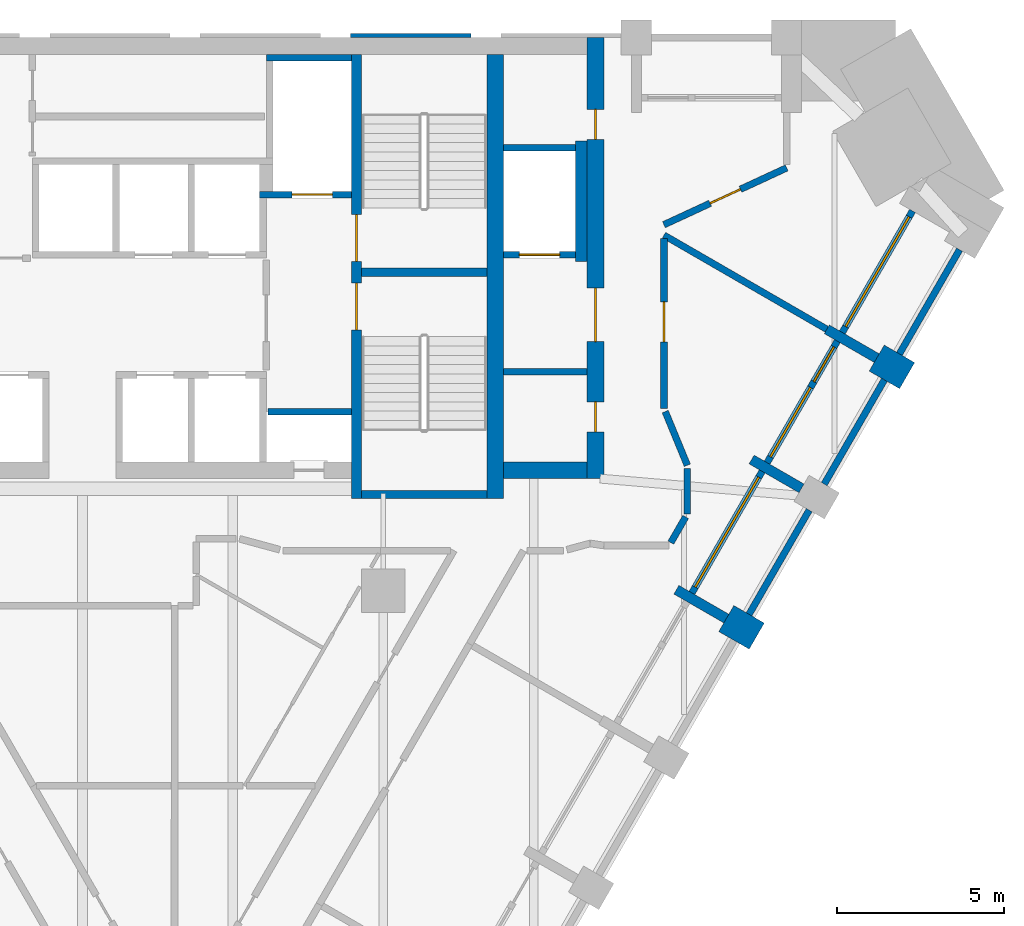
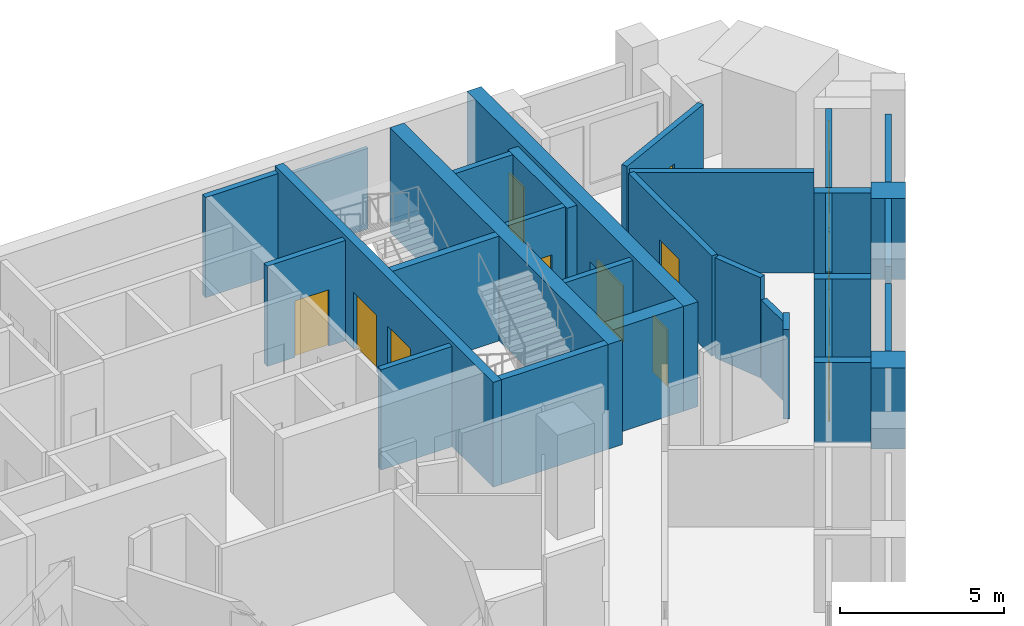
# One storey, part 7 of 9: 31 walls, 10 doors, 3 windows, 13 openings.
"""IFC4 building model written with IfcOpenShell, lengths in metres."""

from ifc_helpers import new_model, si_unit, direction, frame, frame_2d, origin, place, context, subcontext, project, spatial, polyline, rectangle, outline, extrude, material, layer, layer_set, type_object, element, fill, save


model = new_model("IFC4")

# Units and contexts
model_context = context("Model", 3, precision=1e-05, world=origin(), true_north=direction((0.0, 1.0)))
body_context = subcontext(model_context, "Body", "Model", "MODEL_VIEW")
ifc_project = project(units=[si_unit("LENGTHUNIT", "METRE"), si_unit("AREAUNIT", "SQUARE_METRE"), si_unit("VOLUMEUNIT", "CUBIC_METRE"), si_unit("PLANEANGLEUNIT", "RADIAN"), si_unit("MASSUNIT", "GRAM", prefix="KILO")], contexts=[model_context])

# Site, building, storey
site_placement = place(None, origin())
site = spatial("IfcSite", under=ifc_project, at=site_placement, CompositionType="ELEMENT")
building_placement = place(site_placement, origin())
building = spatial("IfcBuilding", under=site, at=building_placement, Name="Calabash Gate Tower", CompositionType="ELEMENT")
storey_placement = place(building_placement, frame((0.0, 0.0, 179.699951171875)))
storey = spatial("IfcBuildingStorey", under=building, at=storey_placement, Name="L42", CompositionType="ELEMENT", Elevation=179.699951171875)

# Walls
ifc_material_1 = material(Name="Terracotta brick masonry, exposed face", Category="masonry")
ifc_layer_1 = layer(ifc_material_1, 1.050048828125)
ifc_layer_set_1 = layer_set([ifc_layer_1], Name="Brick end wall 1050")
wall_type_1 = type_object("IfcWallType", Name="Brick end wall 1050", PredefinedType="SOLIDWALL", material=ifc_layer_set_1)
for number, where, z_axis, x_axis, name in (
    (1, (19.26708984375, 1.665771484375, 0.0), (0.0, 0.0, 1.0), (0.866030680601, -0.499990860175, 0.0), "Brick pier S12 SE4.5"),
    (2, (24.67626953125, 8.93505859375, 0.0), (0.0, 0.0, 1.0), (-0.866030680601, 0.499990860175, 0.0), "Brick pier S12 SE4.7"),
):
    element("IfcWall", number, at=place(storey_placement, frame(where, z_axis=z_axis, x_axis=x_axis)), inside=storey, type_object=wall_type_1, Name=name, PredefinedType="SOLIDWALL", context=body_context, shape_type="SweptSolid", body=[
        extrude(rectangle(XDim=1.0498046875, YDim=0.89990234375, at=frame_2d((0.52490234375, 0.0))), origin(), (0.0, 0.0, 1.0), 3.0),
    ])
ifc_material_2 = material(Name="Terracotta brick masonry, exposed face", Category="masonry")
ifc_layer_2 = layer(ifc_material_2, 0.300048828125)
ifc_layer_set_2 = layer_set([ifc_layer_2], Name="Brick loggia cheek wall 300")
wall_type_2 = type_object("IfcWallType", Name="Brick loggia cheek wall 300", PredefinedType="SOLIDWALL", material=ifc_layer_set_2)
wall_1_placement = place(storey_placement, frame((19.26708984375, 1.665771484375, 0.0), z_axis=(0.0, 0.0, 1.0), x_axis=(-0.866013532718, 0.500020560727, 0.0)))
element("IfcWall", 3, at=wall_1_placement, inside=storey, type_object=wall_type_2, Name="Loggia cheek S12 SE4.5", PredefinedType="SOLIDWALL", context=body_context, shape_type="SweptSolid", body=[
    extrude(rectangle(XDim=1.72509765625, YDim=0.300048828125, at=frame_2d((0.862548828125, 0.0))), origin(), (0.0, 0.0, 1.0), 3.0),
])
wall_2_placement = place(storey_placement, frame((21.51708984375, 5.56298828125, 0.0), z_axis=(0.0, 0.0, 1.0), x_axis=(-0.866013532718, 0.500020560727, 0.0)))
element("IfcWall", 4, at=wall_2_placement, inside=storey, type_object=wall_type_2, Name="Loggia cheek S12 SE4.6", PredefinedType="SOLIDWALL", context=body_context, shape_type="SweptSolid", body=[
    extrude(rectangle(XDim=1.72509765625, YDim=0.300048828125, at=frame_2d((0.862548828125, 0.0))), origin(), (0.0, 0.0, 1.0), 2.9501953125),
])
wall_3_placement = place(storey_placement, frame((23.76708984375, 9.4599609375, 0.0), z_axis=(0.0, 0.0, 1.0), x_axis=(-0.866013532718, 0.500020560727, 0.0)))
element("IfcWall", 5, at=wall_3_placement, inside=storey, type_object=wall_type_2, Name="Loggia cheek S12 SE4.7", PredefinedType="SOLIDWALL", context=body_context, shape_type="SweptSolid", body=[
    extrude(rectangle(XDim=1.72509765625, YDim=0.300048828125, at=frame_2d((0.862548828125, 0.0))), origin(), (0.0, 0.0, 1.0), 3.0),
])
ifc_material_3 = material(Name="Gypsum board on steel studs, mineral wool", Category="steel")
ifc_layer_3 = layer(ifc_material_3, 0.199951171875)
ifc_layer_set_3 = layer_set([ifc_layer_3], Name="Core partition 200 gypsum board")
wall_type_3 = type_object("IfcWallType", Name="Core partition 200 gypsum board", PredefinedType="PARTITIONING", material=ifc_layer_set_3)
wall_4_placement = place(storey_placement, frame((12.60009765625, 9.052490234375, 0.0), z_axis=(0.0, 0.0, 1.0), x_axis=(1.0, 0.0, 0.0)))
element("IfcWall", 6, at=wall_4_placement, inside=storey, type_object=wall_type_3, Name="Core partition", PredefinedType="PARTITIONING", context=body_context, shape_type="SweptSolid", body=[
    extrude(rectangle(XDim=2.5, YDim=0.199951171875, at=frame_2d((1.25, 0.0))), origin(), (0.0, 0.0, 1.0), 3.72998046875),
])
ifc_material_4 = material(Name="Concrete C70/85", Category="concrete")
ifc_layer_4 = layer(ifc_material_4, 0.25)
ifc_layer_set_4 = layer_set([ifc_layer_4], Name="Core wall 250 Concrete C70/85")
wall_type_4 = type_object("IfcWallType", Name="Core wall 250 Concrete C70/85", PredefinedType="SHEAR", material=ifc_layer_set_4)
for number, where, z_axis, x_axis, name in (
    (7, (8.35009765625, 12.027587890625, 0.0), (0.0, 0.0, 1.0), (1.0, 0.0, 0.0), "Core wall Z3-MIDE L42"),
    (8, (8.35009765625, 5.377685546875, 0.0), (0.0, 0.0, 1.0), (1.0, 0.0, 0.0), "Core wall Z3-SSE L42"),
):
    element("IfcWall", number, at=place(storey_placement, frame(where, z_axis=z_axis, x_axis=x_axis)), inside=storey, type_object=wall_type_4, Name=name, PredefinedType="SHEAR", context=body_context, shape_type="SweptSolid", body=[
        extrude(rectangle(XDim=3.75, YDim=0.25, at=frame_2d((1.875, 0.0))), origin(), (0.0, 0.0, 1.0), 3.900146484375),
    ])

# Wall, openings, doors
ifc_material_5 = material(Name="Concrete C70/85", Category="concrete")
ifc_layer_5 = layer(ifc_material_5, 0.300048828125)
ifc_layer_set_5 = layer_set([ifc_layer_5], Name="Core wall 300 Concrete C70/85")
wall_type_5 = type_object("IfcWallType", Name="Core wall 300 Concrete C70/85", PredefinedType="SHEAR", material=ifc_layer_set_5)
wall_5_placement = place(storey_placement, frame((8.199951171875, 5.252685546875, 0.0), z_axis=(0.0, 0.0, 1.0), x_axis=(0.0, 1.0, 0.0)))
wall_5 = element("IfcWall", 9, at=wall_5_placement, inside=storey, type_object=wall_type_5, Name="Core wall Z3-PARTE L42", PredefinedType="SHEAR", context=body_context, shape_type="SweptSolid", body=[
    extrude(rectangle(XDim=13.2998046875, YDim=0.300048828125, at=frame_2d((6.64990234375, 0.0))), origin(), (0.0, 0.0, 1.0), 3.900146484375),
])
opening_1_placement = place(wall_5_placement, frame((7.10009765625, 0.0, 0.0)))
opening_1 = element("IfcOpeningElement", 10, at=opening_1_placement, cuts=wall_5, Name="Opening O4-017", PredefinedType="OPENING", context=body_context, shape_type="SweptSolid", body=[
    extrude(rectangle(XDim=1.39990234375, YDim=2.10009765625, at=frame_2d((0.699951171875, 1.050048828125))), frame((0.0, 0.159912109375, 0.0), z_axis=(0.0, -1.0, 0.0), x_axis=(1.0, 0.0, 0.0)), (0.0, 0.0, 1.0), 0.320068359375),
])
opening_2_placement = place(wall_5_placement, frame((5.050048828125, 0.0, 0.0)))
opening_2 = element("IfcOpeningElement", 11, at=opening_2_placement, cuts=wall_5, Name="Opening O4-018", PredefinedType="OPENING", context=body_context, shape_type="SweptSolid", body=[
    extrude(rectangle(XDim=1.39990234375, YDim=2.10009765625, at=frame_2d((0.699951171875, 1.050048828125))), frame((0.0, 0.159912109375, 0.0), z_axis=(0.0, -1.0, 0.0), x_axis=(1.0, 0.0, 0.0)), (0.0, 0.0, 1.0), 0.320068359375),
])
ifc_material_6 = material(Name="Steel fire door set with fire-resisting glazing", Category="steel")
door_type_1 = type_object("IfcDoorType", Name="Fire door D05 1400x2100 FD90", OperationType="NOTDEFINED", PredefinedType="DOOR", material=ifc_material_6)
door_1_placement = place(opening_1_placement, origin())
door_1 = element("IfcDoor", 12, at=door_1_placement, inside=storey, type_object=door_type_1, Name="Exit stair door ST3", OperationType="SINGLE_SWING_RIGHT", OverallHeight=2.10009765625, OverallWidth=1.39990234375, PredefinedType="DOOR", context=body_context, shape_type="SweptSolid", body=[
    extrude(rectangle(XDim=1.39990234375, YDim=2.10009765625, at=frame_2d((0.699951171875, 1.050048828125))), frame((0.0, 0.02490234375, 0.0), z_axis=(0.0, -1.0, 0.0), x_axis=(1.0, 0.0, 0.0)), (0.0, 0.0, 1.0), 0.050048828125),
])
fill(opening_1, door_1)
door_2_placement = place(opening_2_placement, origin())
door_2 = element("IfcDoor", 13, at=door_2_placement, inside=storey, type_object=door_type_1, Name="Exit stair door ST4", OperationType="SINGLE_SWING_LEFT", OverallHeight=2.10009765625, OverallWidth=1.39990234375, PredefinedType="DOOR", context=body_context, shape_type="SweptSolid", body=[
    extrude(rectangle(XDim=1.39990234375, YDim=2.10009765625, at=frame_2d((0.699951171875, 1.050048828125))), frame((0.0, 0.02490234375, 0.0), z_axis=(0.0, -1.0, 0.0), x_axis=(1.0, 0.0, 0.0)), (0.0, 0.0, 1.0), 0.050048828125),
])
fill(opening_2, door_2)

# Walls
ifc_material_7 = material(Name="Concrete C70/85", Category="concrete")
ifc_layer_6 = layer(ifc_material_7, 0.5)
ifc_layer_set_6 = layer_set([ifc_layer_6], Name="Core wall 500 Concrete C70/85")
wall_type_6 = type_object("IfcWallType", Name="Core wall 500 Concrete C70/85", PredefinedType="SHEAR", material=ifc_layer_set_6)
wall_6_placement = place(storey_placement, frame((12.35009765625, 5.252685546875, 0.0), z_axis=(0.0, 0.0, 1.0), x_axis=(0.0, 1.0, 0.0)))
element("IfcWall", 14, at=wall_6_placement, inside=storey, type_object=wall_type_6, Name="Core wall Z3-COLE L42", PredefinedType="SHEAR", context=body_context, shape_type="SweptSolid", body=[
    extrude(rectangle(XDim=13.2998046875, YDim=0.5, at=frame_2d((6.64990234375, 0.0))), origin(), (0.0, 0.0, 1.0), 3.900146484375),
])
wall_7_placement = place(storey_placement, frame((12.60009765625, 6.1025390625, 0.0), z_axis=(0.0, 0.0, 1.0), x_axis=(1.0, 0.0, 0.0)))
element("IfcWall", 15, at=wall_7_placement, inside=storey, type_object=wall_type_6, Name="Core wall Z3-SE L42", PredefinedType="SHEAR", context=body_context, shape_type="SweptSolid", body=[
    extrude(rectangle(XDim=2.5, YDim=0.5, at=frame_2d((1.25, 0.0))), origin(), (0.0, 0.0, 1.0), 3.900146484375),
])

# Wall, openings, doors
wall_8_placement = place(storey_placement, frame((15.35009765625, 5.8525390625, 0.0), z_axis=(0.0, 0.0, 1.0), x_axis=(0.0, 1.0, 0.0)))
wall_8 = element("IfcWall", 16, at=wall_8_placement, inside=storey, type_object=wall_type_6, Name="Core wall Z3-ENDE L42", PredefinedType="SHEAR", context=body_context, shape_type="SweptSolid", body=[
    extrude(rectangle(XDim=13.199951171875, YDim=0.5, at=frame_2d((6.60009765625, 0.0))), origin(), (0.0, 0.0, 1.0), 3.900146484375),
])
opening_3_placement = place(wall_8_placement, frame((4.10009765625, 0.0, 0.0)))
opening_3 = element("IfcOpeningElement", 17, at=opening_3_placement, cuts=wall_8, Name="Opening O4-003", PredefinedType="OPENING", context=body_context, shape_type="SweptSolid", body=[
    extrude(rectangle(XDim=1.60009765625, YDim=2.10009765625, at=frame_2d((0.800048828125, 1.050048828125))), frame((0.0, 0.260009765625, 0.0), z_axis=(0.0, -1.0, 0.0), x_axis=(1.0, 0.0, 0.0)), (0.0, 0.0, 1.0), 0.52001953125),
])
opening_4_placement = place(wall_8_placement, frame((1.39990234375, 0.0, 0.0)))
opening_4 = element("IfcOpeningElement", 18, at=opening_4_placement, cuts=wall_8, Name="Opening O4-001", PredefinedType="OPENING", context=body_context, shape_type="SweptSolid", body=[
    extrude(rectangle(XDim=0.89990234375, YDim=2.10009765625, at=frame_2d((0.449951171875, 1.050048828125))), frame((0.0, 0.260009765625, 0.0), z_axis=(0.0, -1.0, 0.0), x_axis=(1.0, 0.0, 0.0)), (0.0, 0.0, 1.0), 0.52001953125),
])
opening_5_placement = place(wall_8_placement, frame((10.14990234375, 0.0, 0.0)))
opening_5 = element("IfcOpeningElement", 19, at=opening_5_placement, cuts=wall_8, Name="Opening O4-002", PredefinedType="OPENING", context=body_context, shape_type="SweptSolid", body=[
    extrude(rectangle(XDim=0.89990234375, YDim=2.10009765625, at=frame_2d((0.449951171875, 1.050048828125))), frame((0.0, 0.260009765625, 0.0), z_axis=(0.0, -1.0, 0.0), x_axis=(1.0, 0.0, 0.0)), (0.0, 0.0, 1.0), 0.52001953125),
])
ifc_material_8 = material(Name="Steel fire door set with fire-resisting glazing", Category="steel")
door_type_2 = type_object("IfcDoorType", Name="Double fire door D08 1600x2100 FD60", OperationType="DOUBLE_DOOR_SINGLE_SWING", PredefinedType="DOOR", material=ifc_material_8)
door_3_placement = place(opening_3_placement, origin())
door_3 = element("IfcDoor", 20, at=door_3_placement, inside=storey, type_object=door_type_2, Name="Service Lift Lobby E door", OperationType="DOUBLE_DOOR_SINGLE_SWING", OverallHeight=2.10009765625, OverallWidth=1.60009765625, PredefinedType="DOOR", context=body_context, shape_type="SweptSolid", body=[
    extrude(rectangle(XDim=1.60009765625, YDim=2.10009765625, at=frame_2d((0.800048828125, 1.050048828125))), frame((0.0, 0.02490234375, 0.0), z_axis=(0.0, -1.0, 0.0), x_axis=(1.0, 0.0, 0.0)), (0.0, 0.0, 1.0), 0.050048828125),
])
fill(opening_3, door_3)
ifc_material_9 = material(Name="Steel fire door set with fire-resisting glazing", Category="steel")
door_type_3 = type_object("IfcDoorType", Name="Fire door D06 900x2100 FD60", OperationType="NOTDEFINED", PredefinedType="DOOR", material=ifc_material_9)
door_4_placement = place(opening_4_placement, origin())
door_4 = element("IfcDoor", 21, at=door_4_placement, inside=storey, type_object=door_type_3, Name="Tenant Pantry door", OperationType="SINGLE_SWING_RIGHT", OverallHeight=2.10009765625, OverallWidth=0.89990234375, PredefinedType="DOOR", context=body_context, shape_type="SweptSolid", body=[
    extrude(rectangle(XDim=0.89990234375, YDim=2.10009765625, at=frame_2d((0.449951171875, 1.050048828125))), frame((0.0, 0.02490234375, 0.0), z_axis=(0.0, -1.0, 0.0), x_axis=(1.0, 0.0, 0.0)), (0.0, 0.0, 1.0), 0.050048828125),
])
fill(opening_4, door_4)
door_5_placement = place(opening_5_placement, origin())
door_5 = element("IfcDoor", 22, at=door_5_placement, inside=storey, type_object=door_type_3, Name="Cleaner's Store door", OperationType="SINGLE_SWING_LEFT", OverallHeight=2.10009765625, OverallWidth=0.89990234375, PredefinedType="DOOR", context=body_context, shape_type="SweptSolid", body=[
    extrude(rectangle(XDim=0.89990234375, YDim=2.10009765625, at=frame_2d((0.449951171875, 1.050048828125))), frame((0.0, 0.02490234375, 0.0), z_axis=(0.0, -1.0, 0.0), x_axis=(1.0, 0.0, 0.0)), (0.0, 0.0, 1.0), 0.050048828125),
])
fill(opening_5, door_5)

# Walls
ifc_material_10 = material(Name="Gypsum board on steel studs, mineral wool", Category="steel")
ifc_layer_7 = layer(ifc_material_10, 0.199951171875)
ifc_layer_set_7 = layer_set([ifc_layer_7], Name="Partition 200 gypsum board EI 60")
wall_type_7 = type_object("IfcWallType", Name="Partition 200 gypsum board EI 60", PredefinedType="PARTITIONING", material=ifc_layer_set_7)
wall_9_placement = place(storey_placement, frame((17.606201171875, 3.938720703125, 0.0), z_axis=(0.0, 0.0, 1.0), x_axis=(0.500071473339, 0.8659841347, 0.0)))
element("IfcWall", 23, at=wall_9_placement, inside=storey, type_object=wall_type_7, Name="Partition", PredefinedType="PARTITIONING", context=body_context, shape_type="SweptSolid", body=[
    extrude(rectangle(XDim=0.887939453125, YDim=0.199951171875, at=frame_2d((0.44384765625, 0.0))), origin(), (0.0, 0.0, 1.0), 3.33154296875),
])
wall_10_placement = place(storey_placement, frame((18.1005859375, 4.794189453125, 0.0), z_axis=(0.0, 0.0, 1.0), x_axis=(0.0, 1.0, 0.0)))
element("IfcWall", 24, at=wall_10_placement, inside=storey, type_object=wall_type_7, Name="Partition", PredefinedType="PARTITIONING", context=body_context, shape_type="SweptSolid", body=[
    extrude(rectangle(XDim=1.3583984375, YDim=0.199951171875, at=frame_2d((0.67919921875, 0.0))), origin(), (0.0, 0.0, 1.0), 2.9501953125),
])
wall_11_placement = place(storey_placement, frame((17.438720703125, 7.860107421875, 0.0), z_axis=(0.0, 0.0, 1.0), x_axis=(0.380742741509, -0.924681007044, 0.0)))
element("IfcWall", 25, at=wall_11_placement, inside=storey, type_object=wall_type_7, Name="Partition", PredefinedType="PARTITIONING", context=body_context, shape_type="SweptSolid", body=[
    extrude(rectangle(XDim=1.73828125, YDim=0.199951171875, at=frame_2d((0.869140625, 0.0))), origin(), (0.0, 0.0, 1.0), 3.72998046875),
])

# Wall, opening, door
wall_12_placement = place(storey_placement, frame((17.400390625, 7.95263671875, 0.0), z_axis=(0.0, 0.0, 1.0), x_axis=(0.000336263612, 0.999999943463, 0.0)))
wall_12 = element("IfcWall", 26, at=wall_12_placement, inside=storey, type_object=wall_type_7, Name="Partition", PredefinedType="PARTITIONING", context=body_context, shape_type="SweptSolid", body=[
    extrude(rectangle(XDim=5.082275390625, YDim=0.199951171875, at=frame_2d((2.541015625, 0.0))), origin(), (0.0, 0.0, 1.0), 3.72998046875),
])
opening_6_placement = place(wall_12_placement, frame((1.992431640625, 0.0, 0.0)))
opening_6 = element("IfcOpeningElement", 27, at=opening_6_placement, cuts=wall_12, Name="Opening 42-44-009", PredefinedType="OPENING", context=body_context, shape_type="SweptSolid", body=[
    extrude(rectangle(XDim=1.199951171875, YDim=2.39990234375, at=frame_2d((0.60009765625, 1.199951171875))), frame((0.0, 0.10986328125, 0.0), z_axis=(0.0, -1.0, 0.0), x_axis=(1.0, 0.0, 0.0)), (0.0, 0.0, 1.0), 0.219970703125),
])
ifc_material_11 = material(Name="Steel fire door set with fire-resisting glazing", Category="steel")
door_type_4 = type_object("IfcDoorType", Name="OD3 Boardroom door 1200x2400", OperationType="NOTDEFINED", PredefinedType="DOOR", material=ifc_material_11)
door_6_placement = place(opening_6_placement, origin())
door_6 = element("IfcDoor", 28, at=door_6_placement, inside=storey, type_object=door_type_4, Name="Boardroom door", OperationType="SINGLE_SWING_RIGHT", OverallHeight=2.39990234375, OverallWidth=1.199951171875, PredefinedType="DOOR", context=body_context, shape_type="SweptSolid", body=[
    extrude(rectangle(XDim=1.199951171875, YDim=2.39990234375, at=frame_2d((0.60009765625, 1.199951171875))), frame((0.0, 0.02490234375, 0.0), z_axis=(0.0, -1.0, 0.0), x_axis=(1.0, 0.0, 0.0)), (0.0, 0.0, 1.0), 0.050048828125),
])
fill(opening_6, door_6)

# Wall
wall_13_placement = place(storey_placement, frame((17.400634765625, 13.1376953125, 0.0), z_axis=(0.0, 0.0, 1.0), x_axis=(0.865889294905, -0.500235673427, 0.0)))
element("IfcWall", 29, at=wall_13_placement, inside=storey, type_object=wall_type_7, Name="Partition", PredefinedType="PARTITIONING", context=body_context, shape_type="SweptSolid", body=[
    extrude(rectangle(XDim=5.627197265625, YDim=0.199951171875, at=frame_2d((2.8134765625, 0.0))), origin(), (0.0, 0.0, 1.0), 3.72998046875),
])

# Wall, opening, door
wall_14_placement = place(storey_placement, frame((17.400390625, 13.4521484375, 0.0), z_axis=(0.0, 0.0, 1.0), x_axis=(0.907455404493, 0.420148412892, 0.0)))
wall_14 = element("IfcWall", 30, at=wall_14_placement, inside=storey, type_object=wall_type_7, Name="Partition", PredefinedType="PARTITIONING", context=body_context, shape_type="SweptSolid", body=[
    extrude(rectangle(XDim=4.046142578125, YDim=0.199951171875, at=frame_2d((2.02294921875, 0.0))), origin(), (0.0, 0.0, 1.0), 3.72998046875),
])
opening_7_placement = place(wall_14_placement, frame((1.52294921875, 0.0, 0.0)))
opening_7 = element("IfcOpeningElement", 31, at=opening_7_placement, cuts=wall_14, Name="Opening 42-44-010", PredefinedType="OPENING", context=body_context, shape_type="SweptSolid", body=[
    extrude(rectangle(XDim=1.0, YDim=2.39990234375, at=frame_2d((0.5, 1.199951171875))), frame((0.0, 0.10986328125, 0.0), z_axis=(0.0, -1.0, 0.0), x_axis=(1.0, 0.0, 0.0)), (0.0, 0.0, 1.0), 0.219970703125),
])
ifc_material_12 = material(Name="Painted timber door", Category="wood")
door_type_5 = type_object("IfcDoorType", Name="OD2 Glazed office door 1000x2400", OperationType="NOTDEFINED", PredefinedType="DOOR", material=ifc_material_12)
door_7_placement = place(opening_7_placement, origin())
door_7 = element("IfcDoor", 32, at=door_7_placement, inside=storey, type_object=door_type_5, Name="Glazed office door", OperationType="SINGLE_SWING_LEFT", OverallHeight=2.39990234375, OverallWidth=1.0, PredefinedType="DOOR", context=body_context, shape_type="SweptSolid", body=[
    extrude(rectangle(XDim=1.0, YDim=2.39990234375, at=frame_2d((0.5, 1.199951171875))), frame((0.0, 0.02490234375, 0.0), z_axis=(0.0, -1.0, 0.0), x_axis=(1.0, 0.0, 0.0)), (0.0, 0.0, 1.0), 0.050048828125),
])
fill(opening_7, door_7)

# Walls
ifc_material_13 = material(Name="Concrete C40/50", Category="concrete")
ifc_layer_8 = layer(ifc_material_13, 0.199951171875)
ifc_layer_set_8 = layer_set([ifc_layer_8], Name="Shaft wall 200 Concrete C40/50")
wall_type_8 = type_object("IfcWallType", Name="Shaft wall 200 Concrete C40/50", PredefinedType="SOLIDWALL", material=ifc_layer_set_8)
wall_15_placement = place(storey_placement, frame((5.550048828125, 7.8525390625, 0.0), z_axis=(0.0, 0.0, 1.0), x_axis=(1.0, 0.0, 0.0)))
element("IfcWall", 33, at=wall_15_placement, inside=storey, type_object=wall_type_8, Name="Shaft wall", PredefinedType="SOLIDWALL", context=body_context, shape_type="SweptSolid", body=[
    extrude(rectangle(XDim=2.5, YDim=0.199951171875, at=frame_2d((1.25, 0.0))), origin(), (0.0, 0.0, 1.0), 3.72998046875),
])
wall_16_placement = place(storey_placement, frame((14.925048828125, 12.3525390625, 0.0), z_axis=(0.0, 0.0, 1.0), x_axis=(0.0, 1.0, 0.0)))
element("IfcWall", 34, at=wall_16_placement, inside=storey, type_object=wall_type_8, Name="Shaft wall", PredefinedType="SOLIDWALL", context=body_context, shape_type="SweptSolid", body=[
    extrude(rectangle(XDim=3.60009765625, YDim=0.35009765625, at=frame_2d((1.800048828125, 0.0))), origin(), (0.0, 0.0, 1.0), 3.72998046875),
])

# Wall, opening, door
wall_17_placement = place(storey_placement, frame((12.60009765625, 12.552490234375, 0.0), z_axis=(0.0, 0.0, 1.0), x_axis=(1.0, 0.0, 0.0)))
wall_17 = element("IfcWall", 35, at=wall_17_placement, inside=storey, type_object=wall_type_8, Name="Shaft wall", PredefinedType="SOLIDWALL", context=body_context, shape_type="SweptSolid", body=[
    extrude(rectangle(XDim=2.14990234375, YDim=0.199951171875, at=frame_2d((1.074951171875, 0.0))), origin(), (0.0, 0.0, 1.0), 3.72998046875),
])
opening_8_placement = place(wall_17_placement, frame((0.47509765625, 0.0, 0.0)))
opening_8 = element("IfcOpeningElement", 36, at=opening_8_placement, cuts=wall_17, Name="Opening LD-SL1", PredefinedType="OPENING", context=body_context, shape_type="SweptSolid", body=[
    extrude(rectangle(XDim=1.199951171875, YDim=2.10009765625, at=frame_2d((0.60009765625, 1.050048828125))), frame((0.0, 0.10986328125, 0.0), z_axis=(0.0, -1.0, 0.0), x_axis=(1.0, 0.0, 0.0)), (0.0, 0.0, 1.0), 0.219970703125),
])
ifc_material_14 = material(Name="Stainless steel sliding door leaves", Category="steel")
door_type_6 = type_object("IfcDoorType", Name="Lift landing door LS3 1200x2100 FD90", OperationType="DOUBLE_DOOR_SLIDING", PredefinedType="DOOR", material=ifc_material_14)
door_8_placement = place(opening_8_placement, origin())
door_8 = element("IfcDoor", 37, at=door_8_placement, inside=storey, type_object=door_type_6, Name="Lift landing door SL1", OperationType="DOUBLE_DOOR_SLIDING", OverallHeight=2.10009765625, OverallWidth=1.199951171875, PredefinedType="DOOR", context=body_context, shape_type="SweptSolid", body=[
    extrude(rectangle(XDim=1.199951171875, YDim=2.10009765625, at=frame_2d((0.60009765625, 1.050048828125))), frame((0.0, 0.02490234375, 0.0), z_axis=(0.0, -1.0, 0.0), x_axis=(1.0, 0.0, 0.0)), (0.0, 0.0, 1.0), 0.050048828125),
])
fill(opening_8, door_8)

wall_18_placement = place(storey_placement, frame((5.300048828125, 14.3525390625, 0.0), z_axis=(0.0, 0.0, 1.0), x_axis=(1.0, 0.0, 0.0)))
wall_18 = element("IfcWall", 38, at=wall_18_placement, inside=storey, type_object=wall_type_8, Name="Shaft wall", PredefinedType="SOLIDWALL", context=body_context, shape_type="SweptSolid", body=[
    extrude(rectangle(XDim=2.75, YDim=0.199951171875, at=frame_2d((1.375, 0.0))), origin(), (0.0, 0.0, 1.0), 3.72998046875),
])
opening_9_placement = place(wall_18_placement, frame((0.97509765625, 0.0, 0.0)))
opening_9 = element("IfcOpeningElement", 39, at=opening_9_placement, cuts=wall_18, Name="Opening LD-FF2", PredefinedType="OPENING", context=body_context, shape_type="SweptSolid", body=[
    extrude(rectangle(XDim=1.199951171875, YDim=2.10009765625, at=frame_2d((0.60009765625, 1.050048828125))), frame((0.0, 0.10986328125, 0.0), z_axis=(0.0, -1.0, 0.0), x_axis=(1.0, 0.0, 0.0)), (0.0, 0.0, 1.0), 0.219970703125),
])
door_9_placement = place(opening_9_placement, origin())
door_9 = element("IfcDoor", 40, at=door_9_placement, inside=storey, type_object=door_type_6, Name="Lift landing door FF2", OperationType="DOUBLE_DOOR_SLIDING", OverallHeight=2.10009765625, OverallWidth=1.199951171875, PredefinedType="DOOR", context=body_context, shape_type="SweptSolid", body=[
    extrude(rectangle(XDim=1.199951171875, YDim=2.10009765625, at=frame_2d((0.60009765625, 1.050048828125))), frame((0.0, 0.02490234375, 0.0), z_axis=(0.0, -1.0, 0.0), x_axis=(1.0, 0.0, 0.0)), (0.0, 0.0, 1.0), 0.050048828125),
])
fill(opening_9, door_9)

# Walls
wall_19_placement = place(storey_placement, frame((12.60009765625, 15.752685546875, 0.0), z_axis=(0.0, 0.0, 1.0), x_axis=(1.0, 0.0, 0.0)))
element("IfcWall", 41, at=wall_19_placement, inside=storey, type_object=wall_type_8, Name="Shaft wall", PredefinedType="SOLIDWALL", context=body_context, shape_type="SweptSolid", body=[
    extrude(rectangle(XDim=2.14990234375, YDim=0.199951171875, at=frame_2d((1.074951171875, 0.0))), origin(), (0.0, 0.0, 1.0), 3.72998046875),
])
wall_20_placement = place(storey_placement, frame((5.5, 18.45263671875, 0.0), z_axis=(0.0, 0.0, 1.0), x_axis=(1.0, 0.0, 0.0)))
element("IfcWall", 42, at=wall_20_placement, inside=storey, type_object=wall_type_8, Name="Shaft wall", PredefinedType="SOLIDWALL", context=body_context, shape_type="SweptSolid", body=[
    extrude(rectangle(XDim=2.550048828125, YDim=0.199951171875, at=frame_2d((1.27490234375, 0.0))), origin(), (0.0, 0.0, 1.0), 3.72998046875),
])
ifc_material_15 = material(Name="Terracotta brick masonry, perforated", Category="masonry")
ifc_layer_9 = layer(ifc_material_15, 0.1201171875)
ifc_layer_set_9 = layer_set([ifc_layer_9], Name="Terracotta jaali cladding B 120")
wall_type_9 = type_object("IfcWallType", Name="Terracotta jaali cladding B 120", PredefinedType="SOLIDWALL", material=ifc_layer_set_9)
wall_21_placement = place(storey_placement, origin())
element("IfcWall", 43, at=wall_21_placement, inside=storey, type_object=wall_type_9, Name="Jaali cladding S12 N6.3", PredefinedType="SOLIDWALL", context=body_context, shape_type="SweptSolid", body=[
    extrude(outline(polyline([(8.021728515625, 19.172607421875), (8.021728515625, 19.052490234375), (11.621826171875, 19.052490234375), (11.621826171875, 19.172607421875), (8.021728515625, 19.172607421875)])), origin(), (0.0, 0.0, 1.0), 3.0),
])
ifc_material_16 = material(Name="Terracotta brick masonry, perforated", Category="masonry")
ifc_layer_10 = layer(ifc_material_16, 0.199951171875)
ifc_layer_set_10 = layer_set([ifc_layer_10], Name="Terracotta jaali screen B")
wall_type_10 = type_object("IfcWallType", Name="Terracotta jaali screen B", PredefinedType="SOLIDWALL", material=ifc_layer_set_10)
for number, where, z_axis, x_axis, name in (
    (44, (19.94677734375, 1.79296875, 0.0), (0.0, 0.0, 1.0), (0.499961193289, 0.866047807691, 0.0), "SCREEN B S12 SE4.6"),
    (45, (22.19677734375, 5.690185546875, 0.0), (0.0, 0.0, 1.0), (0.499961193289, 0.866047807691, 0.0), "SCREEN B S12 SE4.7"),
):
    element("IfcWall", number, at=place(storey_placement, frame(where, z_axis=z_axis, x_axis=x_axis)), inside=storey, type_object=wall_type_10, Name=name, PredefinedType="SOLIDWALL", context=body_context, shape_type="SweptSolid", body=[
        extrude(rectangle(XDim=3.599853515625, YDim=0.199951171875, at=frame_2d((1.7998046875, 0.0))), origin(), (0.0, 0.0, 1.0), 3.0),
    ])
wall_22_placement = place(storey_placement, frame((24.44677734375, 9.587158203125, 0.0), z_axis=(0.0, 0.0, 1.0), x_axis=(0.499931829785, 0.866064758299, 0.0)))
element("IfcWall", 46, at=wall_22_placement, inside=storey, type_object=wall_type_10, Name="SCREEN B S12 SE4.8", PredefinedType="SOLIDWALL", context=body_context, shape_type="SweptSolid", body=[
    extrude(rectangle(XDim=3.60009765625, YDim=0.199951171875, at=frame_2d((1.800048828125, 0.0))), origin(), (0.0, 0.0, 1.0), 3.0),
])

# Wall, opening, window
ifc_material_17 = material(Name="Aluminium framed window wall with insulated spandrel", Category="aluminium")
ifc_layer_11 = layer(ifc_material_17, 0.199951171875)
ifc_layer_set_11 = layer_set([ifc_layer_11], Name="Window wall 200")
wall_type_11 = type_object("IfcWallType", Name="Window wall 200", PredefinedType="ELEMENTEDWALL", material=ifc_layer_set_11)
wall_23_placement = place(storey_placement, frame((18.23779296875, 2.433349609375, 0.0), z_axis=(0.0, 0.0, 1.0), x_axis=(0.500027713859, 0.866009402589, 0.0)))
wall_23 = element("IfcWall", 47, at=wall_23_placement, inside=storey, type_object=wall_type_11, Name="Window wall S12 SE4.6", PredefinedType="ELEMENTEDWALL", context=body_context, shape_type="SweptSolid", body=[
    extrude(rectangle(XDim=4.199951171875, YDim=0.199951171875, at=frame_2d((2.10009765625, 0.0))), origin(), (0.0, 0.0, 1.0), 2.9501953125),
])
opening_10_placement = place(wall_23_placement, frame((0.199951171875, 0.0, 0.449951171875)))
opening_10 = element("IfcOpeningElement", 48, at=opening_10_placement, cuts=wall_23, Name="Opening OW2", PredefinedType="OPENING", context=body_context, shape_type="SweptSolid", body=[
    extrude(rectangle(XDim=3.800048828125, YDim=2.25, at=frame_2d((1.89990234375, 1.125))), frame((0.0, 0.10986328125, 0.0), z_axis=(0.0, -1.0, 0.0), x_axis=(1.0, 0.0, 0.0)), (0.0, 0.0, 1.0), 0.219970703125),
])
ifc_material_18 = material(Name="Anodised aluminium frame, bronze finish, impact-rated laminated clear glazing", Category="aluminium")
window_type_1 = type_object("IfcWindowType", Name="Window OW2 3800x2250", PartitioningType="TRIPLE_PANEL_VERTICAL", PredefinedType="WINDOW", material=ifc_material_18)
window_1_placement = place(opening_10_placement, origin())
window_1 = element("IfcWindow", 49, at=window_1_placement, inside=storey, type_object=window_type_1, Name="Window OW2 S12 SE4.6", OverallHeight=2.25, OverallWidth=3.800048828125, PartitioningType="SINGLE_PANEL", PredefinedType="WINDOW", context=body_context, shape_type="SweptSolid", body=[
    extrude(rectangle(XDim=3.800048828125, YDim=2.25, at=frame_2d((1.89990234375, 1.125))), frame((0.0, 0.030029296875, 0.0), z_axis=(0.0, -1.0, 0.0), x_axis=(1.0, 0.0, 0.0)), (0.0, 0.0, 1.0), 0.06005859375),
])
fill(opening_10, window_1)

# Wall, openings, door, window
wall_24_placement = place(storey_placement, frame((20.48779296875, 6.330322265625, 0.0), z_axis=(0.0, 0.0, 1.0), x_axis=(0.500002543286, 0.866023935413, 0.0)))
wall_24 = element("IfcWall", 50, at=wall_24_placement, inside=storey, type_object=wall_type_11, Name="Window wall S12 SE4.7", PredefinedType="ELEMENTEDWALL", context=body_context, shape_type="SweptSolid", body=[
    extrude(rectangle(XDim=4.2001953125, YDim=0.199951171875, at=frame_2d((2.10009765625, 0.0))), origin(), (0.0, 0.0, 1.0), 3.0),
])
opening_11_placement = place(wall_24_placement, frame((0.199951171875, 0.0, 0.449951171875)))
opening_11 = element("IfcOpeningElement", 51, at=opening_11_placement, cuts=wall_24, Name="Opening OW1", PredefinedType="OPENING", context=body_context, shape_type="SweptSolid", body=[
    extrude(rectangle(XDim=2.39990234375, YDim=2.25, at=frame_2d((1.199951171875, 1.125))), frame((0.0, 0.10986328125, 0.0), z_axis=(0.0, -1.0, 0.0), x_axis=(1.0, 0.0, 0.0)), (0.0, 0.0, 1.0), 0.219970703125),
])
opening_12_placement = place(wall_24_placement, frame((2.800048828125, 0.0, 0.0)))
opening_12 = element("IfcOpeningElement", 52, at=opening_12_placement, cuts=wall_24, Name="Opening O4-024", PredefinedType="OPENING", context=body_context, shape_type="SweptSolid", body=[
    extrude(rectangle(XDim=1.199951171875, YDim=2.699951171875, at=frame_2d((0.60009765625, 1.35009765625))), frame((0.0, 0.10986328125, 0.0), z_axis=(0.0, -1.0, 0.0), x_axis=(1.0, 0.0, 0.0)), (0.0, 0.0, 1.0), 0.219970703125),
])
ifc_material_19 = material(Name="Anodised aluminium frame, bronze finish, impact-rated laminated clear glazing", Category="aluminium")
door_type_7 = type_object("IfcDoorType", Name="Loggia door DO1 1200x2700", OperationType="SLIDING_TO_LEFT", PredefinedType="DOOR", material=ifc_material_19)
door_10_placement = place(opening_12_placement, origin())
door_10 = element("IfcDoor", 53, at=door_10_placement, inside=storey, type_object=door_type_7, Name="Loggia door S12 SE4.7", OperationType="SINGLE_SWING_LEFT", OverallHeight=2.699951171875, OverallWidth=1.199951171875, PredefinedType="DOOR", context=body_context, shape_type="SweptSolid", body=[
    extrude(rectangle(XDim=1.199951171875, YDim=2.699951171875, at=frame_2d((0.60009765625, 1.35009765625))), frame((0.0, 0.02490234375, 0.0), z_axis=(0.0, -1.0, 0.0), x_axis=(1.0, 0.0, 0.0)), (0.0, 0.0, 1.0), 0.050048828125),
])
fill(opening_12, door_10)
ifc_material_20 = material(Name="Anodised aluminium frame, bronze finish, impact-rated laminated clear glazing", Category="aluminium")
window_type_2 = type_object("IfcWindowType", Name="Window OW1 2400x2250", PartitioningType="DOUBLE_PANEL_VERTICAL", PredefinedType="WINDOW", material=ifc_material_20)
window_2_placement = place(opening_11_placement, origin())
window_2 = element("IfcWindow", 54, at=window_2_placement, inside=storey, type_object=window_type_2, Name="Window OW1 S12 SE4.7", OverallHeight=2.25, OverallWidth=2.39990234375, PartitioningType="SINGLE_PANEL", PredefinedType="WINDOW", context=body_context, shape_type="SweptSolid", body=[
    extrude(rectangle(XDim=2.39990234375, YDim=2.25, at=frame_2d((1.199951171875, 1.125))), frame((0.0, 0.030029296875, 0.0), z_axis=(0.0, -1.0, 0.0), x_axis=(1.0, 0.0, 0.0)), (0.0, 0.0, 1.0), 0.06005859375),
])
fill(opening_11, window_2)

# Wall, opening, window
wall_25_placement = place(storey_placement, frame((22.73779296875, 10.2275390625, 0.0), z_axis=(0.0, 0.0, 1.0), x_axis=(0.500027713859, 0.866009402589, 0.0)))
wall_25 = element("IfcWall", 55, at=wall_25_placement, inside=storey, type_object=wall_type_11, Name="Window wall S12 SE4.8", PredefinedType="ELEMENTEDWALL", context=body_context, shape_type="SweptSolid", body=[
    extrude(rectangle(XDim=4.199951171875, YDim=0.199951171875, at=frame_2d((2.10009765625, 0.0))), origin(), (0.0, 0.0, 1.0), 3.0),
])
opening_13_placement = place(wall_25_placement, frame((0.199951171875, 0.0, 0.449951171875)))
opening_13 = element("IfcOpeningElement", 56, at=opening_13_placement, cuts=wall_25, Name="Opening OW2", PredefinedType="OPENING", context=body_context, shape_type="SweptSolid", body=[
    extrude(rectangle(XDim=3.800048828125, YDim=2.25, at=frame_2d((1.89990234375, 1.125))), frame((0.0, 0.10986328125, 0.0), z_axis=(0.0, -1.0, 0.0), x_axis=(1.0, 0.0, 0.0)), (0.0, 0.0, 1.0), 0.219970703125),
])
window_3_placement = place(opening_13_placement, origin())
window_3 = element("IfcWindow", 57, at=window_3_placement, inside=storey, type_object=window_type_1, Name="Window OW2 S12 SE4.8", OverallHeight=2.25, OverallWidth=3.800048828125, PartitioningType="SINGLE_PANEL", PredefinedType="WINDOW", context=body_context, shape_type="SweptSolid", body=[
    extrude(rectangle(XDim=3.800048828125, YDim=2.25, at=frame_2d((1.89990234375, 1.125))), frame((0.0, 0.030029296875, 0.0), z_axis=(0.0, -1.0, 0.0), x_axis=(1.0, 0.0, 0.0)), (0.0, 0.0, 1.0), 0.06005859375),
])
fill(opening_13, window_3)

save(model, "model.ifc")
